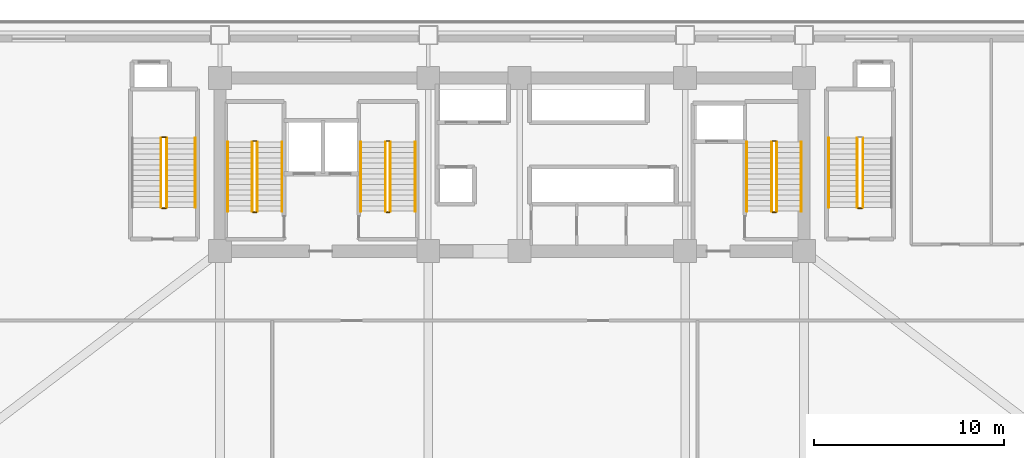
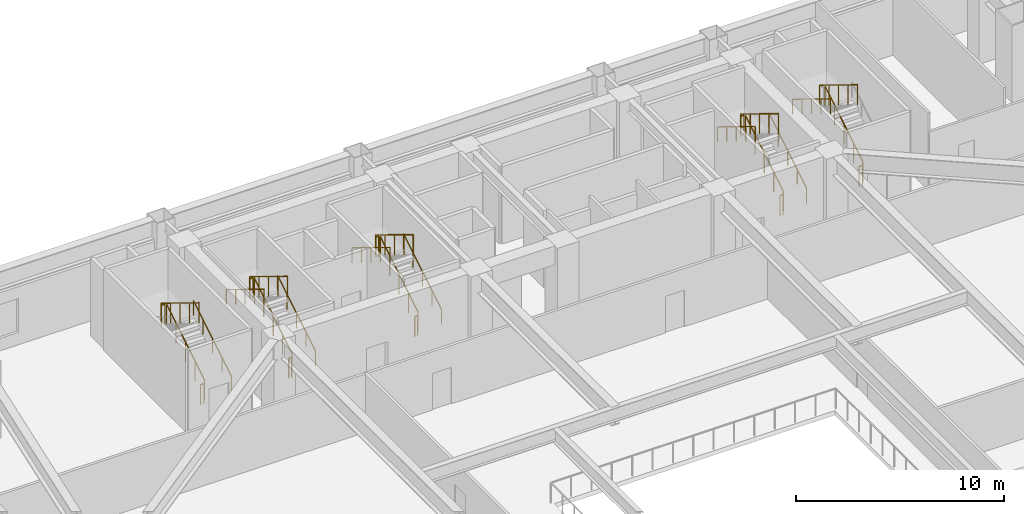
# One storey, part 12 of 14: 27 railings.
"""IFC4 building model written with IfcOpenShell, lengths in metres."""

import ifcopenshell
import ifcopenshell.guid

model = None  # the IFC model being written
_history = None  # IfcOwnerHistory: only IFC2X3 demands one
_inside = {}  # id of a spatial element -> (the spatial element, [elements in it])
_under = {}  # id of a project, library or spatial element -> (it, [spatial elements below it])
_declared = {}  # id of a project -> (the project, [libraries it declares])
_typed = {}  # id of a type object -> (the type object, [elements of that type])
_made_of = {}  # id of a material, layer set ... -> (it, [elements and type objects made of it])


def new_model(schema):
    """Start an empty IFC model of exactly this schema.

    Asked for "IFC4X3", IfcOpenShell would pick the latest addendum, in which some entities
    have other attributes; the version numbers below select the first issue.
    IFC2X3 requires an IfcOwnerHistory on every rooted entity: one is made here for all.
    """
    global model, _history
    if schema == "IFC4X3":
        model = ifcopenshell.file(schema_version=(4, 3, 0, 0))
    else:
        model = ifcopenshell.file(schema=schema)
    _inside.clear()
    _under.clear()
    _declared.clear()
    _typed.clear()
    _made_of.clear()
    _history = None
    if model.schema == "IFC2X3":
        org = make("IfcOrganization", Name="unknown")
        user = make(
            "IfcPersonAndOrganization",
            ThePerson=make("IfcPerson", FamilyName="unknown"),
            TheOrganization=org,
        )
        app = make(
            "IfcApplication",
            ApplicationDeveloper=org,
            Version="unknown",
            ApplicationFullName="unknown",
            ApplicationIdentifier="unknown",
        )
        _history = make(
            "IfcOwnerHistory",
            OwningUser=user,
            OwningApplication=app,
            ChangeAction="ADDED",
            CreationDate=0,
        )
    return model


def make(cls, **values):
    """One entity of the class cls with the attributes given. An attribute that is None is left unset."""
    return model.create_entity(
        cls, **{name: value for name, value in values.items() if value is not None}
    )


def rooted(cls, **values):
    """An entity with a GlobalId (a new one), such as an element, a storey or a relation."""
    return make(cls, GlobalId=ifcopenshell.guid.new(), OwnerHistory=_history, **values)


def si_unit(unit_type, name, prefix=None):
    """IfcSIUnit, for example si_unit("LENGTHUNIT", "METRE", prefix="MILLI")."""
    return make("IfcSIUnit", UnitType=unit_type, Prefix=prefix, Name=name)


def assignment(units):
    """IfcUnitAssignment: the units of a project."""
    return None if units is None else make("IfcUnitAssignment", Units=units)


def point(xyz):
    """IfcCartesianPoint."""
    return None if xyz is None else make("IfcCartesianPoint", Coordinates=xyz)


def direction(xyz):
    """IfcDirection."""
    return None if xyz is None else make("IfcDirection", DirectionRatios=xyz)


def frame(location, z_axis=None, x_axis=None):
    """IfcAxis2Placement3D, a coordinate frame: its origin and axes. An axis left out is left unset."""
    return make(
        "IfcAxis2Placement3D",
        Location=point(location),
        Axis=direction(z_axis),
        RefDirection=direction(x_axis),
    )


def frame_2d(location, x_axis=None):
    """IfcAxis2Placement2D, a coordinate frame in the plane: its origin and x axis."""
    return make(
        "IfcAxis2Placement2D", Location=point(location), RefDirection=direction(x_axis)
    )


def origin():
    """The frame at (0, 0, 0) with its axes left unset."""
    return frame((0.0, 0.0, 0.0))


def origin_2d():
    """The frame at (0, 0) in the plane with its x axis left unset."""
    return frame_2d((0.0, 0.0))


def place(relative_to, where):
    """IfcLocalPlacement: puts the frame where relative to a parent placement (None: the world)."""
    return make(
        "IfcLocalPlacement", PlacementRelTo=relative_to, RelativePlacement=where
    )


def context(
    kind, dimensions, precision=None, world=None, true_north=None, identifier=None
):
    """IfcGeometricRepresentationContext, for example the 3D "Model" context."""
    return make(
        "IfcGeometricRepresentationContext",
        ContextIdentifier=identifier,
        ContextType=kind,
        CoordinateSpaceDimension=dimensions,
        Precision=precision,
        WorldCoordinateSystem=world,
        TrueNorth=true_north,
    )


def subcontext(parent, identifier, kind, view, scale=None):
    """IfcGeometricRepresentationSubContext, for example "Body" below "Model"."""
    return make(
        "IfcGeometricRepresentationSubContext",
        ContextIdentifier=identifier,
        ContextType=kind,
        ParentContext=parent,
        TargetScale=scale,
        TargetView=view,
    )


def project(units=None, contexts=None):
    """IfcProject with its units and contexts."""
    return rooted(
        "IfcProject",
        Name="project",
        RepresentationContexts=contexts,
        UnitsInContext=assignment(units),
    )


def spatial(cls, under=None, at=None, **own):
    """A site, building, storey or space (cls), placed at a placement, below another one or the project."""
    s = rooted(cls, ObjectPlacement=at, **own)
    if under is not None:
        _under.setdefault(under.id(), (under, []))[1].append(s)
    return s


def profile(cls, at=None, kind="AREA", **sizes):
    """A parametric profile (cls). Its sizes go by their IFC names, for example OverallWidth=200.0."""
    return make(cls, ProfileType=kind, Position=at, **sizes)


def rectangle(**sizes):
    """IfcRectangleProfileDef."""
    return profile("IfcRectangleProfileDef", **sizes)


def extrude(swept, where, along, depth):
    """IfcExtrudedAreaSolid: the profile swept, set in the frame where, extruded along a direction by depth."""
    return make(
        "IfcExtrudedAreaSolid",
        SweptArea=swept,
        Position=where,
        ExtrudedDirection=direction(along),
        Depth=depth,
    )


def shape(context_of_items, identifier, shape_type, items):
    """IfcShapeRepresentation: the items that make up one representation, for example the "Body"."""
    return make(
        "IfcShapeRepresentation",
        ContextOfItems=context_of_items,
        RepresentationIdentifier=identifier,
        RepresentationType=shape_type,
        Items=items,
    )


def material(Name=None, Category=None):
    """IfcMaterial."""
    return make("IfcMaterial", Name=Name, Category=Category)


def made_of(thing, what):
    """Note that an element or type object is made of a material, layer set ...; save() writes the relation."""
    if what is not None:
        _made_of.setdefault(what.id(), (what, []))[1].append(thing)
    return thing


def type_object(cls, material=None, **own):
    """A type object (cls), such as IfcWallType, which elements share."""
    return made_of(rooted(cls, **own), material)


def element(
    cls,
    number,
    at=None,
    inside=None,
    cuts=None,
    type_object=None,
    material=None,
    context=None,
    identifier="Body",
    shape_type=None,
    held_by="IfcProductDefinitionShape",
    body=None,
    shapes=None,
    **own,
):
    """One element of the class cls, such as IfcWall. Its Tag is "e" and its number.

    at: its placement. inside: the storey or other place that contains it. cuts: it is an
    opening in that element (IfcRelVoidsElement). A single representation is given by context,
    identifier, shape_type and body (its items); several are given by shapes. held_by: the class
    of the entity that holds the representations. save() writes the other relations.
    """
    e = rooted(cls, Tag="e%d" % number, ObjectPlacement=at, **own)
    if body is not None:
        shapes = [shape(context, identifier, shape_type, body)]
    if shapes is not None:
        e.Representation = make(held_by, Representations=shapes)
    if inside is not None:
        _inside.setdefault(inside.id(), (inside, []))[1].append(e)
    if cuts is not None:
        rooted(
            "IfcRelVoidsElement", RelatingBuildingElement=cuts, RelatedOpeningElement=e
        )
    if type_object is not None:
        _typed.setdefault(type_object.id(), (type_object, []))[1].append(e)
    return made_of(e, material)


def aggregate(whole, parts):
    """IfcRelAggregates: a whole, such as a stair, and the parts it consists of."""
    return rooted("IfcRelAggregates", RelatingObject=whole, RelatedObjects=parts)


def save(model, path):
    """Write the relations noted so far, then the file.

    IfcRelAggregates (storeys below a building ...), IfcRelContainedInSpatialStructure (elements
    in a storey), IfcRelDefinesByType, IfcRelAssociatesMaterial and IfcRelDeclares: one each for
    every whole, place, type object, material and project.
    """
    for whole, parts in _under.values():
        aggregate(whole, parts)
    for where, things in _inside.values():
        rooted(
            "IfcRelContainedInSpatialStructure",
            RelatedElements=things,
            RelatingStructure=where,
        )
    for kind, things in _typed.values():
        rooted("IfcRelDefinesByType", RelatedObjects=things, RelatingType=kind)
    for what, things in _made_of.values():
        rooted("IfcRelAssociatesMaterial", RelatedObjects=things, RelatingMaterial=what)
    for by, libraries in _declared.values():
        rooted("IfcRelDeclares", RelatingContext=by, RelatedDefinitions=libraries)
    model.write(path)


model = new_model("IFC4")

# Units and contexts
model_context = context("Model", 3, precision=1e-05, world=origin(), true_north=direction((0.0, 1.0)))
body_context = subcontext(model_context, "Body", "Model", "MODEL_VIEW")
ifc_project = project(units=[si_unit("LENGTHUNIT", "METRE"), si_unit("AREAUNIT", "SQUARE_METRE"), si_unit("VOLUMEUNIT", "CUBIC_METRE"), si_unit("PLANEANGLEUNIT", "RADIAN"), si_unit("MASSUNIT", "GRAM", prefix="KILO")], contexts=[model_context])

# Site, building, storey
site_placement = place(None, origin())
site = spatial("IfcSite", under=ifc_project, at=site_placement, CompositionType="ELEMENT")
building_placement = place(site_placement, origin())
building = spatial("IfcBuilding", under=site, at=building_placement, Name="Giltprow Tower", CompositionType="ELEMENT")
storey_placement = place(building_placement, frame((0.0, 0.0, 5.60009765625)))
storey = spatial("IfcBuildingStorey", under=building, at=storey_placement, Name="L02", CompositionType="ELEMENT", Elevation=5.60009765625)

# Railings
ifc_material = material(Name="Anodized bronze", Category="metal")
railing_type_1 = type_object("IfcRailingType", Name="RAIL-STAIR-GUARD-1200", PredefinedType="GUARDRAIL", material=ifc_material)
railing_1_placement = place(storey_placement, frame((21.81005859375, 39.550048828125, 0.17138671875)))
element("IfcRailing", 1, at=railing_1_placement, inside=storey, type_object=railing_type_1, Name="L02 ST-1 stair guard 1", PredefinedType="GUARDRAIL", context=body_context, shape_type="SweptSolid", body=[
    extrude(rectangle(XDim=0.048095703125, YDim=0.048095703125, at=origin_2d()), frame((0.0, 0.0, 1.17578125), z_axis=(0.0, 0.852850264322, 0.5221555579), x_axis=(-1.0, 0.0, 0.0)), (0.0, 0.0, 1.0), 4.267822265625),
    extrude(rectangle(XDim=0.0419921875, YDim=0.0419921875, at=origin_2d()), origin(), (0.0, 0.0, 1.0), 1.15185546875),
    extrude(rectangle(XDim=0.0419921875, YDim=0.0419921875, at=origin_2d()), frame((0.0, 0.909912109375, 0.55712890625)), (0.0, 0.0, 1.0), 1.15185546875),
    extrude(rectangle(XDim=0.0419921875, YDim=0.0419921875, at=origin_2d()), frame((0.0, 1.81982421875, 1.1142578125)), (0.0, 0.0, 1.0), 1.15185546875),
    extrude(rectangle(XDim=0.0419921875, YDim=0.0419921875, at=origin_2d()), frame((0.0, 2.72998046875, 1.67138671875)), (0.0, 0.0, 1.0), 1.15185546875),
    extrude(rectangle(XDim=0.0419921875, YDim=0.0419921875, at=origin_2d()), frame((0.0, 3.639892578125, 2.228515625)), (0.0, 0.0, 1.0), 1.15185546875),
])
railing_2_placement = place(storey_placement, frame((21.760009765625, 43.239990234375, 2.39990234375)))
element("IfcRailing", 2, at=railing_2_placement, inside=storey, type_object=railing_type_1, Name="L02 ST-1 stair guard 2", PredefinedType="GUARDRAIL", context=body_context, shape_type="SweptSolid", body=[
    extrude(rectangle(XDim=0.048095703125, YDim=0.048095703125, at=origin_2d()), frame((0.0, 0.0, 1.17578125), z_axis=(-1.0, 0.0, 0.0), x_axis=(0.0, -1.0, 0.0)), (0.0, 0.0, 1.0), 0.159912109375),
    extrude(rectangle(XDim=0.0419921875, YDim=0.0419921875, at=origin_2d()), origin(), (0.0, 0.0, 1.0), 1.15185546875),
    extrude(rectangle(XDim=0.0419921875, YDim=0.0419921875, at=origin_2d()), frame((-0.159912109375, 0.0, 0.0)), (0.0, 0.0, 1.0), 1.15185546875),
])
railing_3_placement = place(storey_placement, frame((21.550048828125, 43.18994140625, 2.5712890625)))
element("IfcRailing", 3, at=railing_3_placement, inside=storey, type_object=railing_type_1, Name="L02 ST-1 stair guard 3", PredefinedType="GUARDRAIL", context=body_context, shape_type="SweptSolid", body=[
    extrude(rectangle(XDim=0.048095703125, YDim=0.048095703125, at=origin_2d()), frame((0.0, 0.0, 1.17578125), z_axis=(0.0, -0.852850264322, 0.5221555579), x_axis=(1.0, 0.0, 0.0)), (0.0, 0.0, 1.0), 4.267822265625),
    extrude(rectangle(XDim=0.0419921875, YDim=0.0419921875, at=origin_2d()), origin(), (0.0, 0.0, 1.0), 1.15185546875),
    extrude(rectangle(XDim=0.0419921875, YDim=0.0419921875, at=origin_2d()), frame((0.0, -0.909912109375, 0.55712890625)), (0.0, 0.0, 1.0), 1.15185546875),
    extrude(rectangle(XDim=0.0419921875, YDim=0.0419921875, at=origin_2d()), frame((0.0, -1.81982421875, 1.1142578125)), (0.0, 0.0, 1.0), 1.15185546875),
    extrude(rectangle(XDim=0.0419921875, YDim=0.0419921875, at=origin_2d()), frame((0.0, -2.72998046875, 1.67138671875)), (0.0, 0.0, 1.0), 1.15185546875),
    extrude(rectangle(XDim=0.0419921875, YDim=0.0419921875, at=origin_2d()), frame((0.0, -3.639892578125, 2.228515625)), (0.0, 0.0, 1.0), 1.15185546875),
])
railing_4_placement = place(storey_placement, frame((21.760009765625, 39.5, 0.0)))
element("IfcRailing", 4, at=railing_4_placement, inside=storey, type_object=railing_type_1, Name="L02 ST-1 stair guard 4", PredefinedType="GUARDRAIL", context=body_context, shape_type="SweptSolid", body=[
    extrude(rectangle(XDim=0.048095703125, YDim=0.048095703125, at=origin_2d()), frame((0.0, 0.0, 1.17578125), z_axis=(-1.0, 0.0, 0.0), x_axis=(0.0, -1.0, 0.0)), (0.0, 0.0, 1.0), 0.159912109375),
    extrude(rectangle(XDim=0.0419921875, YDim=0.0419921875, at=origin_2d()), origin(), (0.0, 0.0, 1.0), 1.15185546875),
    extrude(rectangle(XDim=0.0419921875, YDim=0.0419921875, at=origin_2d()), frame((-0.159912109375, 0.0, 0.0)), (0.0, 0.0, 1.0), 1.15185546875),
])
railing_5_placement = place(storey_placement, frame((28.81005859375, 39.550048828125, 0.17138671875)))
element("IfcRailing", 5, at=railing_5_placement, inside=storey, type_object=railing_type_1, Name="L02 ST-2 stair guard 1", PredefinedType="GUARDRAIL", context=body_context, shape_type="SweptSolid", body=[
    extrude(rectangle(XDim=0.048095703125, YDim=0.048095703125, at=origin_2d()), frame((0.0, 0.0, 1.17578125), z_axis=(0.0, 0.852850264322, 0.5221555579), x_axis=(-1.0, 0.0, 0.0)), (0.0, 0.0, 1.0), 4.267822265625),
    extrude(rectangle(XDim=0.0419921875, YDim=0.0419921875, at=origin_2d()), origin(), (0.0, 0.0, 1.0), 1.15185546875),
    extrude(rectangle(XDim=0.0419921875, YDim=0.0419921875, at=origin_2d()), frame((0.0, 0.909912109375, 0.55712890625)), (0.0, 0.0, 1.0), 1.15185546875),
    extrude(rectangle(XDim=0.0419921875, YDim=0.0419921875, at=origin_2d()), frame((0.0, 1.81982421875, 1.1142578125)), (0.0, 0.0, 1.0), 1.15185546875),
    extrude(rectangle(XDim=0.0419921875, YDim=0.0419921875, at=origin_2d()), frame((0.0, 2.72998046875, 1.67138671875)), (0.0, 0.0, 1.0), 1.15185546875),
    extrude(rectangle(XDim=0.0419921875, YDim=0.0419921875, at=origin_2d()), frame((0.0, 3.639892578125, 2.228515625)), (0.0, 0.0, 1.0), 1.15185546875),
])
railing_6_placement = place(storey_placement, frame((28.760009765625, 43.239990234375, 2.39990234375)))
element("IfcRailing", 6, at=railing_6_placement, inside=storey, type_object=railing_type_1, Name="L02 ST-2 stair guard 2", PredefinedType="GUARDRAIL", context=body_context, shape_type="SweptSolid", body=[
    extrude(rectangle(XDim=0.048095703125, YDim=0.048095703125, at=origin_2d()), frame((0.0, 0.0, 1.17578125), z_axis=(-1.0, 0.0, 0.0), x_axis=(0.0, -1.0, 0.0)), (0.0, 0.0, 1.0), 0.159912109375),
    extrude(rectangle(XDim=0.0419921875, YDim=0.0419921875, at=origin_2d()), origin(), (0.0, 0.0, 1.0), 1.15185546875),
    extrude(rectangle(XDim=0.0419921875, YDim=0.0419921875, at=origin_2d()), frame((-0.159912109375, 0.0, 0.0)), (0.0, 0.0, 1.0), 1.15185546875),
])
railing_7_placement = place(storey_placement, frame((28.550048828125, 43.18994140625, 2.5712890625)))
element("IfcRailing", 7, at=railing_7_placement, inside=storey, type_object=railing_type_1, Name="L02 ST-2 stair guard 3", PredefinedType="GUARDRAIL", context=body_context, shape_type="SweptSolid", body=[
    extrude(rectangle(XDim=0.048095703125, YDim=0.048095703125, at=origin_2d()), frame((0.0, 0.0, 1.17578125), z_axis=(0.0, -0.852850264322, 0.5221555579), x_axis=(1.0, 0.0, 0.0)), (0.0, 0.0, 1.0), 4.267822265625),
    extrude(rectangle(XDim=0.0419921875, YDim=0.0419921875, at=origin_2d()), origin(), (0.0, 0.0, 1.0), 1.15185546875),
    extrude(rectangle(XDim=0.0419921875, YDim=0.0419921875, at=origin_2d()), frame((0.0, -0.909912109375, 0.55712890625)), (0.0, 0.0, 1.0), 1.15185546875),
    extrude(rectangle(XDim=0.0419921875, YDim=0.0419921875, at=origin_2d()), frame((0.0, -1.81982421875, 1.1142578125)), (0.0, 0.0, 1.0), 1.15185546875),
    extrude(rectangle(XDim=0.0419921875, YDim=0.0419921875, at=origin_2d()), frame((0.0, -2.72998046875, 1.67138671875)), (0.0, 0.0, 1.0), 1.15185546875),
    extrude(rectangle(XDim=0.0419921875, YDim=0.0419921875, at=origin_2d()), frame((0.0, -3.639892578125, 2.228515625)), (0.0, 0.0, 1.0), 1.15185546875),
])
railing_8_placement = place(storey_placement, frame((28.760009765625, 39.5, 0.0)))
element("IfcRailing", 8, at=railing_8_placement, inside=storey, type_object=railing_type_1, Name="L02 ST-2 stair guard 4", PredefinedType="GUARDRAIL", context=body_context, shape_type="SweptSolid", body=[
    extrude(rectangle(XDim=0.048095703125, YDim=0.048095703125, at=origin_2d()), frame((0.0, 0.0, 1.17578125), z_axis=(-1.0, 0.0, 0.0), x_axis=(0.0, -1.0, 0.0)), (0.0, 0.0, 1.0), 0.159912109375),
    extrude(rectangle(XDim=0.0419921875, YDim=0.0419921875, at=origin_2d()), origin(), (0.0, 0.0, 1.0), 1.15185546875),
    extrude(rectangle(XDim=0.0419921875, YDim=0.0419921875, at=origin_2d()), frame((-0.159912109375, 0.0, 0.0)), (0.0, 0.0, 1.0), 1.15185546875),
])
railing_9_placement = place(storey_placement, frame((49.110107421875, 39.550048828125, 0.17138671875)))
element("IfcRailing", 9, at=railing_9_placement, inside=storey, type_object=railing_type_1, Name="L02 ST-3 stair guard 1", PredefinedType="GUARDRAIL", context=body_context, shape_type="SweptSolid", body=[
    extrude(rectangle(XDim=0.048095703125, YDim=0.048095703125, at=origin_2d()), frame((0.0, 0.0, 1.17578125), z_axis=(0.0, 0.852850264322, 0.5221555579), x_axis=(-1.0, 0.0, 0.0)), (0.0, 0.0, 1.0), 4.267822265625),
    extrude(rectangle(XDim=0.0419921875, YDim=0.0419921875, at=origin_2d()), origin(), (0.0, 0.0, 1.0), 1.15185546875),
    extrude(rectangle(XDim=0.0419921875, YDim=0.0419921875, at=origin_2d()), frame((0.0, 0.909912109375, 0.55712890625)), (0.0, 0.0, 1.0), 1.15185546875),
    extrude(rectangle(XDim=0.0419921875, YDim=0.0419921875, at=origin_2d()), frame((0.0, 1.81982421875, 1.1142578125)), (0.0, 0.0, 1.0), 1.15185546875),
    extrude(rectangle(XDim=0.0419921875, YDim=0.0419921875, at=origin_2d()), frame((0.0, 2.72998046875, 1.67138671875)), (0.0, 0.0, 1.0), 1.15185546875),
    extrude(rectangle(XDim=0.0419921875, YDim=0.0419921875, at=origin_2d()), frame((0.0, 3.639892578125, 2.228515625)), (0.0, 0.0, 1.0), 1.15185546875),
])
railing_10_placement = place(storey_placement, frame((49.06005859375, 43.239990234375, 2.39990234375)))
element("IfcRailing", 10, at=railing_10_placement, inside=storey, type_object=railing_type_1, Name="L02 ST-3 stair guard 2", PredefinedType="GUARDRAIL", context=body_context, shape_type="SweptSolid", body=[
    extrude(rectangle(XDim=0.048095703125, YDim=0.048095703125, at=origin_2d()), frame((0.0, 0.0, 1.17578125), z_axis=(-1.0, 0.0, 0.0), x_axis=(0.0, -1.0, 0.0)), (0.0, 0.0, 1.0), 0.16015625),
    extrude(rectangle(XDim=0.0419921875, YDim=0.0419921875, at=origin_2d()), origin(), (0.0, 0.0, 1.0), 1.15185546875),
    extrude(rectangle(XDim=0.0419921875, YDim=0.0419921875, at=origin_2d()), frame((-0.16015625, 0.0, 0.0)), (0.0, 0.0, 1.0), 1.15185546875),
])
railing_11_placement = place(storey_placement, frame((48.85009765625, 43.18994140625, 2.5712890625)))
element("IfcRailing", 11, at=railing_11_placement, inside=storey, type_object=railing_type_1, Name="L02 ST-3 stair guard 3", PredefinedType="GUARDRAIL", context=body_context, shape_type="SweptSolid", body=[
    extrude(rectangle(XDim=0.048095703125, YDim=0.048095703125, at=origin_2d()), frame((0.0, 0.0, 1.17578125), z_axis=(0.0, -0.852850264322, 0.5221555579), x_axis=(1.0, 0.0, 0.0)), (0.0, 0.0, 1.0), 4.267822265625),
    extrude(rectangle(XDim=0.0419921875, YDim=0.0419921875, at=origin_2d()), origin(), (0.0, 0.0, 1.0), 1.15185546875),
    extrude(rectangle(XDim=0.0419921875, YDim=0.0419921875, at=origin_2d()), frame((0.0, -0.909912109375, 0.55712890625)), (0.0, 0.0, 1.0), 1.15185546875),
    extrude(rectangle(XDim=0.0419921875, YDim=0.0419921875, at=origin_2d()), frame((0.0, -1.81982421875, 1.1142578125)), (0.0, 0.0, 1.0), 1.15185546875),
    extrude(rectangle(XDim=0.0419921875, YDim=0.0419921875, at=origin_2d()), frame((0.0, -2.72998046875, 1.67138671875)), (0.0, 0.0, 1.0), 1.15185546875),
    extrude(rectangle(XDim=0.0419921875, YDim=0.0419921875, at=origin_2d()), frame((0.0, -3.639892578125, 2.228515625)), (0.0, 0.0, 1.0), 1.15185546875),
])
railing_12_placement = place(storey_placement, frame((49.06005859375, 39.5, 0.0)))
element("IfcRailing", 12, at=railing_12_placement, inside=storey, type_object=railing_type_1, Name="L02 ST-3 stair guard 4", PredefinedType="GUARDRAIL", context=body_context, shape_type="SweptSolid", body=[
    extrude(rectangle(XDim=0.048095703125, YDim=0.048095703125, at=origin_2d()), frame((0.0, 0.0, 1.17578125), z_axis=(-1.0, 0.0, 0.0), x_axis=(0.0, -1.0, 0.0)), (0.0, 0.0, 1.0), 0.16015625),
    extrude(rectangle(XDim=0.0419921875, YDim=0.0419921875, at=origin_2d()), origin(), (0.0, 0.0, 1.0), 1.15185546875),
    extrude(rectangle(XDim=0.0419921875, YDim=0.0419921875, at=origin_2d()), frame((-0.16015625, 0.0, 0.0)), (0.0, 0.0, 1.0), 1.15185546875),
])
railing_13_placement = place(storey_placement, frame((17.050048828125, 39.75, 0.17138671875)))
element("IfcRailing", 13, at=railing_13_placement, inside=storey, type_object=railing_type_1, Name="L02 ST-P1 stair guard 1", PredefinedType="GUARDRAIL", context=body_context, shape_type="SweptSolid", body=[
    extrude(rectangle(XDim=0.048095703125, YDim=0.048095703125, at=origin_2d()), frame((0.0, 0.0, 1.17578125), z_axis=(0.0, 0.852850264322, 0.5221555579), x_axis=(-1.0, 0.0, 0.0)), (0.0, 0.0, 1.0), 4.267822265625),
    extrude(rectangle(XDim=0.0419921875, YDim=0.0419921875, at=origin_2d()), origin(), (0.0, 0.0, 1.0), 1.15185546875),
    extrude(rectangle(XDim=0.0419921875, YDim=0.0419921875, at=origin_2d()), frame((0.0, 0.909912109375, 0.55712890625)), (0.0, 0.0, 1.0), 1.15185546875),
    extrude(rectangle(XDim=0.0419921875, YDim=0.0419921875, at=origin_2d()), frame((0.0, 1.81982421875, 1.1142578125)), (0.0, 0.0, 1.0), 1.15185546875),
    extrude(rectangle(XDim=0.0419921875, YDim=0.0419921875, at=origin_2d()), frame((0.0, 2.72998046875, 1.67138671875)), (0.0, 0.0, 1.0), 1.15185546875),
    extrude(rectangle(XDim=0.0419921875, YDim=0.0419921875, at=origin_2d()), frame((0.0, 3.639892578125, 2.228515625)), (0.0, 0.0, 1.0), 1.15185546875),
])
railing_14_placement = place(storey_placement, frame((17.0, 43.43994140625, 2.39990234375)))
element("IfcRailing", 14, at=railing_14_placement, inside=storey, type_object=railing_type_1, Name="L02 ST-P1 stair guard 2", PredefinedType="GUARDRAIL", context=body_context, shape_type="SweptSolid", body=[
    extrude(rectangle(XDim=0.048095703125, YDim=0.048095703125, at=origin_2d()), frame((0.0, 0.0, 1.17578125), z_axis=(-1.0, 0.0, 0.0), x_axis=(0.0, -1.0, 0.0)), (0.0, 0.0, 1.0), 0.199951171875),
    extrude(rectangle(XDim=0.0419921875, YDim=0.0419921875, at=origin_2d()), origin(), (0.0, 0.0, 1.0), 1.15185546875),
    extrude(rectangle(XDim=0.0419921875, YDim=0.0419921875, at=origin_2d()), frame((-0.199951171875, 0.0, 0.0)), (0.0, 0.0, 1.0), 1.15185546875),
])
railing_15_placement = place(storey_placement, frame((16.75, 43.389892578125, 2.5712890625)))
element("IfcRailing", 15, at=railing_15_placement, inside=storey, type_object=railing_type_1, Name="L02 ST-P1 stair guard 3", PredefinedType="GUARDRAIL", context=body_context, shape_type="SweptSolid", body=[
    extrude(rectangle(XDim=0.048095703125, YDim=0.048095703125, at=origin_2d()), frame((0.0, 0.0, 1.17578125), z_axis=(0.0, -0.852850264322, 0.5221555579), x_axis=(1.0, 0.0, 0.0)), (0.0, 0.0, 1.0), 4.267822265625),
    extrude(rectangle(XDim=0.0419921875, YDim=0.0419921875, at=origin_2d()), origin(), (0.0, 0.0, 1.0), 1.15185546875),
    extrude(rectangle(XDim=0.0419921875, YDim=0.0419921875, at=origin_2d()), frame((0.0, -0.909912109375, 0.55712890625)), (0.0, 0.0, 1.0), 1.15185546875),
    extrude(rectangle(XDim=0.0419921875, YDim=0.0419921875, at=origin_2d()), frame((0.0, -1.81982421875, 1.1142578125)), (0.0, 0.0, 1.0), 1.15185546875),
    extrude(rectangle(XDim=0.0419921875, YDim=0.0419921875, at=origin_2d()), frame((0.0, -2.72998046875, 1.67138671875)), (0.0, 0.0, 1.0), 1.15185546875),
    extrude(rectangle(XDim=0.0419921875, YDim=0.0419921875, at=origin_2d()), frame((0.0, -3.639892578125, 2.228515625)), (0.0, 0.0, 1.0), 1.15185546875),
])
railing_16_placement = place(storey_placement, frame((17.0, 39.699951171875, 0.0)))
element("IfcRailing", 16, at=railing_16_placement, inside=storey, type_object=railing_type_1, Name="L02 ST-P1 stair guard 4", PredefinedType="GUARDRAIL", context=body_context, shape_type="SweptSolid", body=[
    extrude(rectangle(XDim=0.048095703125, YDim=0.048095703125, at=origin_2d()), frame((0.0, 0.0, 1.17578125), z_axis=(-1.0, 0.0, 0.0), x_axis=(0.0, -1.0, 0.0)), (0.0, 0.0, 1.0), 0.199951171875),
    extrude(rectangle(XDim=0.0419921875, YDim=0.0419921875, at=origin_2d()), origin(), (0.0, 0.0, 1.0), 1.15185546875),
    extrude(rectangle(XDim=0.0419921875, YDim=0.0419921875, at=origin_2d()), frame((-0.199951171875, 0.0, 0.0)), (0.0, 0.0, 1.0), 1.15185546875),
])
railing_17_placement = place(storey_placement, frame((53.64990234375, 39.75, 0.17138671875)))
element("IfcRailing", 17, at=railing_17_placement, inside=storey, type_object=railing_type_1, Name="L02 ST-P2 stair guard 1", PredefinedType="GUARDRAIL", context=body_context, shape_type="SweptSolid", body=[
    extrude(rectangle(XDim=0.048095703125, YDim=0.048095703125, at=origin_2d()), frame((0.0, 0.0, 1.17578125), z_axis=(0.0, 0.852850264322, 0.5221555579), x_axis=(-1.0, 0.0, 0.0)), (0.0, 0.0, 1.0), 4.267822265625),
    extrude(rectangle(XDim=0.0419921875, YDim=0.0419921875, at=origin_2d()), origin(), (0.0, 0.0, 1.0), 1.15185546875),
    extrude(rectangle(XDim=0.0419921875, YDim=0.0419921875, at=origin_2d()), frame((0.0, 0.909912109375, 0.55712890625)), (0.0, 0.0, 1.0), 1.15185546875),
    extrude(rectangle(XDim=0.0419921875, YDim=0.0419921875, at=origin_2d()), frame((0.0, 1.81982421875, 1.1142578125)), (0.0, 0.0, 1.0), 1.15185546875),
    extrude(rectangle(XDim=0.0419921875, YDim=0.0419921875, at=origin_2d()), frame((0.0, 2.72998046875, 1.67138671875)), (0.0, 0.0, 1.0), 1.15185546875),
    extrude(rectangle(XDim=0.0419921875, YDim=0.0419921875, at=origin_2d()), frame((0.0, 3.639892578125, 2.228515625)), (0.0, 0.0, 1.0), 1.15185546875),
])
railing_18_placement = place(storey_placement, frame((53.35009765625, 43.389892578125, 2.5712890625)))
element("IfcRailing", 18, at=railing_18_placement, inside=storey, type_object=railing_type_1, Name="L02 ST-P2 stair guard 3", PredefinedType="GUARDRAIL", context=body_context, shape_type="SweptSolid", body=[
    extrude(rectangle(XDim=0.048095703125, YDim=0.048095703125, at=origin_2d()), frame((0.0, 0.0, 1.17578125), z_axis=(0.0, -0.852850264322, 0.5221555579), x_axis=(1.0, 0.0, 0.0)), (0.0, 0.0, 1.0), 4.267822265625),
    extrude(rectangle(XDim=0.0419921875, YDim=0.0419921875, at=origin_2d()), origin(), (0.0, 0.0, 1.0), 1.15185546875),
    extrude(rectangle(XDim=0.0419921875, YDim=0.0419921875, at=origin_2d()), frame((0.0, -0.909912109375, 0.55712890625)), (0.0, 0.0, 1.0), 1.15185546875),
    extrude(rectangle(XDim=0.0419921875, YDim=0.0419921875, at=origin_2d()), frame((0.0, -1.81982421875, 1.1142578125)), (0.0, 0.0, 1.0), 1.15185546875),
    extrude(rectangle(XDim=0.0419921875, YDim=0.0419921875, at=origin_2d()), frame((0.0, -2.72998046875, 1.67138671875)), (0.0, 0.0, 1.0), 1.15185546875),
    extrude(rectangle(XDim=0.0419921875, YDim=0.0419921875, at=origin_2d()), frame((0.0, -3.639892578125, 2.228515625)), (0.0, 0.0, 1.0), 1.15185546875),
])
railing_19_placement = place(storey_placement, frame((53.60009765625, 39.699951171875, 0.0)))
element("IfcRailing", 19, at=railing_19_placement, inside=storey, type_object=railing_type_1, Name="L02 ST-P2 stair guard 4", PredefinedType="GUARDRAIL", context=body_context, shape_type="SweptSolid", body=[
    extrude(rectangle(XDim=0.048095703125, YDim=0.048095703125, at=origin_2d()), frame((0.0, 0.0, 1.17578125), z_axis=(-1.0, 0.0, 0.0), x_axis=(0.0, -1.0, 0.0)), (0.0, 0.0, 1.0), 0.2001953125),
    extrude(rectangle(XDim=0.0419921875, YDim=0.0419921875, at=origin_2d()), origin(), (0.0, 0.0, 1.0), 1.15185546875),
    extrude(rectangle(XDim=0.0419921875, YDim=0.0419921875, at=origin_2d()), frame((-0.2001953125, 0.0, 0.0)), (0.0, 0.0, 1.0), 1.15185546875),
])
railing_type_2 = type_object("IfcRailingType", Name="RAIL-STAIR-HAND-900", PredefinedType="HANDRAIL", material=ifc_material)
railing_20_placement = place(storey_placement, frame((23.110107421875, 39.550048828125, 0.17138671875)))
element("IfcRailing", 20, at=railing_20_placement, inside=storey, type_object=railing_type_2, Name="L02 ST-1 stair handrail 1", PredefinedType="HANDRAIL", context=body_context, shape_type="SweptSolid", body=[
    extrude(rectangle(XDim=0.048095703125, YDim=0.048095703125, at=origin_2d()), frame((0.0, 0.0, 0.8759765625), z_axis=(0.0, 0.852850264322, 0.5221555579), x_axis=(-1.0, 0.0, 0.0)), (0.0, 0.0, 1.0), 4.267822265625),
    extrude(rectangle(XDim=0.0419921875, YDim=0.0419921875, at=origin_2d()), origin(), (0.0, 0.0, 1.0), 0.851806640625),
    extrude(rectangle(XDim=0.0419921875, YDim=0.0419921875, at=origin_2d()), frame((0.0, 0.909912109375, 0.55712890625)), (0.0, 0.0, 1.0), 0.851806640625),
    extrude(rectangle(XDim=0.0419921875, YDim=0.0419921875, at=origin_2d()), frame((0.0, 1.81982421875, 1.1142578125)), (0.0, 0.0, 1.0), 0.851806640625),
    extrude(rectangle(XDim=0.0419921875, YDim=0.0419921875, at=origin_2d()), frame((0.0, 2.72998046875, 1.67138671875)), (0.0, 0.0, 1.0), 0.851806640625),
    extrude(rectangle(XDim=0.0419921875, YDim=0.0419921875, at=origin_2d()), frame((0.0, 3.639892578125, 2.228515625)), (0.0, 0.0, 1.0), 0.851806640625),
])
railing_21_placement = place(storey_placement, frame((20.25, 43.18994140625, 2.5712890625)))
element("IfcRailing", 21, at=railing_21_placement, inside=storey, type_object=railing_type_2, Name="L02 ST-1 stair handrail 2", PredefinedType="HANDRAIL", context=body_context, shape_type="SweptSolid", body=[
    extrude(rectangle(XDim=0.048095703125, YDim=0.048095703125, at=origin_2d()), frame((0.0, 0.0, 0.8759765625), z_axis=(0.0, -0.852850264322, 0.5221555579), x_axis=(1.0, 0.0, 0.0)), (0.0, 0.0, 1.0), 4.267822265625),
    extrude(rectangle(XDim=0.0419921875, YDim=0.0419921875, at=origin_2d()), origin(), (0.0, 0.0, 1.0), 0.851806640625),
    extrude(rectangle(XDim=0.0419921875, YDim=0.0419921875, at=origin_2d()), frame((0.0, -0.909912109375, 0.55712890625)), (0.0, 0.0, 1.0), 0.851806640625),
    extrude(rectangle(XDim=0.0419921875, YDim=0.0419921875, at=origin_2d()), frame((0.0, -1.81982421875, 1.1142578125)), (0.0, 0.0, 1.0), 0.851806640625),
    extrude(rectangle(XDim=0.0419921875, YDim=0.0419921875, at=origin_2d()), frame((0.0, -2.72998046875, 1.67138671875)), (0.0, 0.0, 1.0), 0.851806640625),
    extrude(rectangle(XDim=0.0419921875, YDim=0.0419921875, at=origin_2d()), frame((0.0, -3.639892578125, 2.228515625)), (0.0, 0.0, 1.0), 0.851806640625),
])
railing_22_placement = place(storey_placement, frame((30.110107421875, 39.550048828125, 0.17138671875)))
element("IfcRailing", 22, at=railing_22_placement, inside=storey, type_object=railing_type_2, Name="L02 ST-2 stair handrail 1", PredefinedType="HANDRAIL", context=body_context, shape_type="SweptSolid", body=[
    extrude(rectangle(XDim=0.048095703125, YDim=0.048095703125, at=origin_2d()), frame((0.0, 0.0, 0.8759765625), z_axis=(0.0, 0.852850264322, 0.5221555579), x_axis=(-1.0, 0.0, 0.0)), (0.0, 0.0, 1.0), 4.267822265625),
    extrude(rectangle(XDim=0.0419921875, YDim=0.0419921875, at=origin_2d()), origin(), (0.0, 0.0, 1.0), 0.851806640625),
    extrude(rectangle(XDim=0.0419921875, YDim=0.0419921875, at=origin_2d()), frame((0.0, 0.909912109375, 0.55712890625)), (0.0, 0.0, 1.0), 0.851806640625),
    extrude(rectangle(XDim=0.0419921875, YDim=0.0419921875, at=origin_2d()), frame((0.0, 1.81982421875, 1.1142578125)), (0.0, 0.0, 1.0), 0.851806640625),
    extrude(rectangle(XDim=0.0419921875, YDim=0.0419921875, at=origin_2d()), frame((0.0, 2.72998046875, 1.67138671875)), (0.0, 0.0, 1.0), 0.851806640625),
    extrude(rectangle(XDim=0.0419921875, YDim=0.0419921875, at=origin_2d()), frame((0.0, 3.639892578125, 2.228515625)), (0.0, 0.0, 1.0), 0.851806640625),
])
railing_23_placement = place(storey_placement, frame((27.25, 43.18994140625, 2.5712890625)))
element("IfcRailing", 23, at=railing_23_placement, inside=storey, type_object=railing_type_2, Name="L02 ST-2 stair handrail 2", PredefinedType="HANDRAIL", context=body_context, shape_type="SweptSolid", body=[
    extrude(rectangle(XDim=0.048095703125, YDim=0.048095703125, at=origin_2d()), frame((0.0, 0.0, 0.8759765625), z_axis=(0.0, -0.852850264322, 0.5221555579), x_axis=(1.0, 0.0, 0.0)), (0.0, 0.0, 1.0), 4.267822265625),
    extrude(rectangle(XDim=0.0419921875, YDim=0.0419921875, at=origin_2d()), origin(), (0.0, 0.0, 1.0), 0.851806640625),
    extrude(rectangle(XDim=0.0419921875, YDim=0.0419921875, at=origin_2d()), frame((0.0, -0.909912109375, 0.55712890625)), (0.0, 0.0, 1.0), 0.851806640625),
    extrude(rectangle(XDim=0.0419921875, YDim=0.0419921875, at=origin_2d()), frame((0.0, -1.81982421875, 1.1142578125)), (0.0, 0.0, 1.0), 0.851806640625),
    extrude(rectangle(XDim=0.0419921875, YDim=0.0419921875, at=origin_2d()), frame((0.0, -2.72998046875, 1.67138671875)), (0.0, 0.0, 1.0), 0.851806640625),
    extrude(rectangle(XDim=0.0419921875, YDim=0.0419921875, at=origin_2d()), frame((0.0, -3.639892578125, 2.228515625)), (0.0, 0.0, 1.0), 0.851806640625),
])
railing_24_placement = place(storey_placement, frame((50.409912109375, 39.550048828125, 0.17138671875)))
element("IfcRailing", 24, at=railing_24_placement, inside=storey, type_object=railing_type_2, Name="L02 ST-3 stair handrail 1", PredefinedType="HANDRAIL", context=body_context, shape_type="SweptSolid", body=[
    extrude(rectangle(XDim=0.048095703125, YDim=0.048095703125, at=origin_2d()), frame((0.0, 0.0, 0.8759765625), z_axis=(0.0, 0.852850264322, 0.5221555579), x_axis=(-1.0, 0.0, 0.0)), (0.0, 0.0, 1.0), 4.267822265625),
    extrude(rectangle(XDim=0.0419921875, YDim=0.0419921875, at=origin_2d()), origin(), (0.0, 0.0, 1.0), 0.851806640625),
    extrude(rectangle(XDim=0.0419921875, YDim=0.0419921875, at=origin_2d()), frame((0.0, 0.909912109375, 0.55712890625)), (0.0, 0.0, 1.0), 0.851806640625),
    extrude(rectangle(XDim=0.0419921875, YDim=0.0419921875, at=origin_2d()), frame((0.0, 1.81982421875, 1.1142578125)), (0.0, 0.0, 1.0), 0.851806640625),
    extrude(rectangle(XDim=0.0419921875, YDim=0.0419921875, at=origin_2d()), frame((0.0, 2.72998046875, 1.67138671875)), (0.0, 0.0, 1.0), 0.851806640625),
    extrude(rectangle(XDim=0.0419921875, YDim=0.0419921875, at=origin_2d()), frame((0.0, 3.639892578125, 2.228515625)), (0.0, 0.0, 1.0), 0.851806640625),
])
railing_25_placement = place(storey_placement, frame((47.550048828125, 43.18994140625, 2.5712890625)))
element("IfcRailing", 25, at=railing_25_placement, inside=storey, type_object=railing_type_2, Name="L02 ST-3 stair handrail 2", PredefinedType="HANDRAIL", context=body_context, shape_type="SweptSolid", body=[
    extrude(rectangle(XDim=0.048095703125, YDim=0.048095703125, at=origin_2d()), frame((0.0, 0.0, 0.8759765625), z_axis=(0.0, -0.852850264322, 0.5221555579), x_axis=(1.0, 0.0, 0.0)), (0.0, 0.0, 1.0), 4.267822265625),
    extrude(rectangle(XDim=0.0419921875, YDim=0.0419921875, at=origin_2d()), origin(), (0.0, 0.0, 1.0), 0.851806640625),
    extrude(rectangle(XDim=0.0419921875, YDim=0.0419921875, at=origin_2d()), frame((0.0, -0.909912109375, 0.55712890625)), (0.0, 0.0, 1.0), 0.851806640625),
    extrude(rectangle(XDim=0.0419921875, YDim=0.0419921875, at=origin_2d()), frame((0.0, -1.81982421875, 1.1142578125)), (0.0, 0.0, 1.0), 0.851806640625),
    extrude(rectangle(XDim=0.0419921875, YDim=0.0419921875, at=origin_2d()), frame((0.0, -2.72998046875, 1.67138671875)), (0.0, 0.0, 1.0), 0.851806640625),
    extrude(rectangle(XDim=0.0419921875, YDim=0.0419921875, at=origin_2d()), frame((0.0, -3.639892578125, 2.228515625)), (0.0, 0.0, 1.0), 0.851806640625),
])
railing_26_placement = place(storey_placement, frame((18.550048828125, 39.75, 0.17138671875)))
element("IfcRailing", 26, at=railing_26_placement, inside=storey, type_object=railing_type_2, Name="L02 ST-P1 stair handrail 1", PredefinedType="HANDRAIL", context=body_context, shape_type="SweptSolid", body=[
    extrude(rectangle(XDim=0.048095703125, YDim=0.048095703125, at=origin_2d()), frame((0.0, 0.0, 0.8759765625), z_axis=(0.0, 0.852850264322, 0.5221555579), x_axis=(-1.0, 0.0, 0.0)), (0.0, 0.0, 1.0), 4.267822265625),
    extrude(rectangle(XDim=0.0419921875, YDim=0.0419921875, at=origin_2d()), origin(), (0.0, 0.0, 1.0), 0.851806640625),
    extrude(rectangle(XDim=0.0419921875, YDim=0.0419921875, at=origin_2d()), frame((0.0, 0.909912109375, 0.55712890625)), (0.0, 0.0, 1.0), 0.851806640625),
    extrude(rectangle(XDim=0.0419921875, YDim=0.0419921875, at=origin_2d()), frame((0.0, 1.81982421875, 1.1142578125)), (0.0, 0.0, 1.0), 0.851806640625),
    extrude(rectangle(XDim=0.0419921875, YDim=0.0419921875, at=origin_2d()), frame((0.0, 2.72998046875, 1.67138671875)), (0.0, 0.0, 1.0), 0.851806640625),
    extrude(rectangle(XDim=0.0419921875, YDim=0.0419921875, at=origin_2d()), frame((0.0, 3.639892578125, 2.228515625)), (0.0, 0.0, 1.0), 0.851806640625),
])
railing_27_placement = place(storey_placement, frame((51.85009765625, 43.389892578125, 2.5712890625)))
element("IfcRailing", 27, at=railing_27_placement, inside=storey, type_object=railing_type_2, Name="L02 ST-P2 stair handrail 2", PredefinedType="HANDRAIL", context=body_context, shape_type="SweptSolid", body=[
    extrude(rectangle(XDim=0.048095703125, YDim=0.048095703125, at=origin_2d()), frame((0.0, 0.0, 0.8759765625), z_axis=(0.0, -0.852850264322, 0.5221555579), x_axis=(1.0, 0.0, 0.0)), (0.0, 0.0, 1.0), 4.267822265625),
    extrude(rectangle(XDim=0.0419921875, YDim=0.0419921875, at=origin_2d()), origin(), (0.0, 0.0, 1.0), 0.851806640625),
    extrude(rectangle(XDim=0.0419921875, YDim=0.0419921875, at=origin_2d()), frame((0.0, -0.909912109375, 0.55712890625)), (0.0, 0.0, 1.0), 0.851806640625),
    extrude(rectangle(XDim=0.0419921875, YDim=0.0419921875, at=origin_2d()), frame((0.0, -1.81982421875, 1.1142578125)), (0.0, 0.0, 1.0), 0.851806640625),
    extrude(rectangle(XDim=0.0419921875, YDim=0.0419921875, at=origin_2d()), frame((0.0, -2.72998046875, 1.67138671875)), (0.0, 0.0, 1.0), 0.851806640625),
    extrude(rectangle(XDim=0.0419921875, YDim=0.0419921875, at=origin_2d()), frame((0.0, -3.639892578125, 2.228515625)), (0.0, 0.0, 1.0), 0.851806640625),
])

save(model, "model.ifc")
